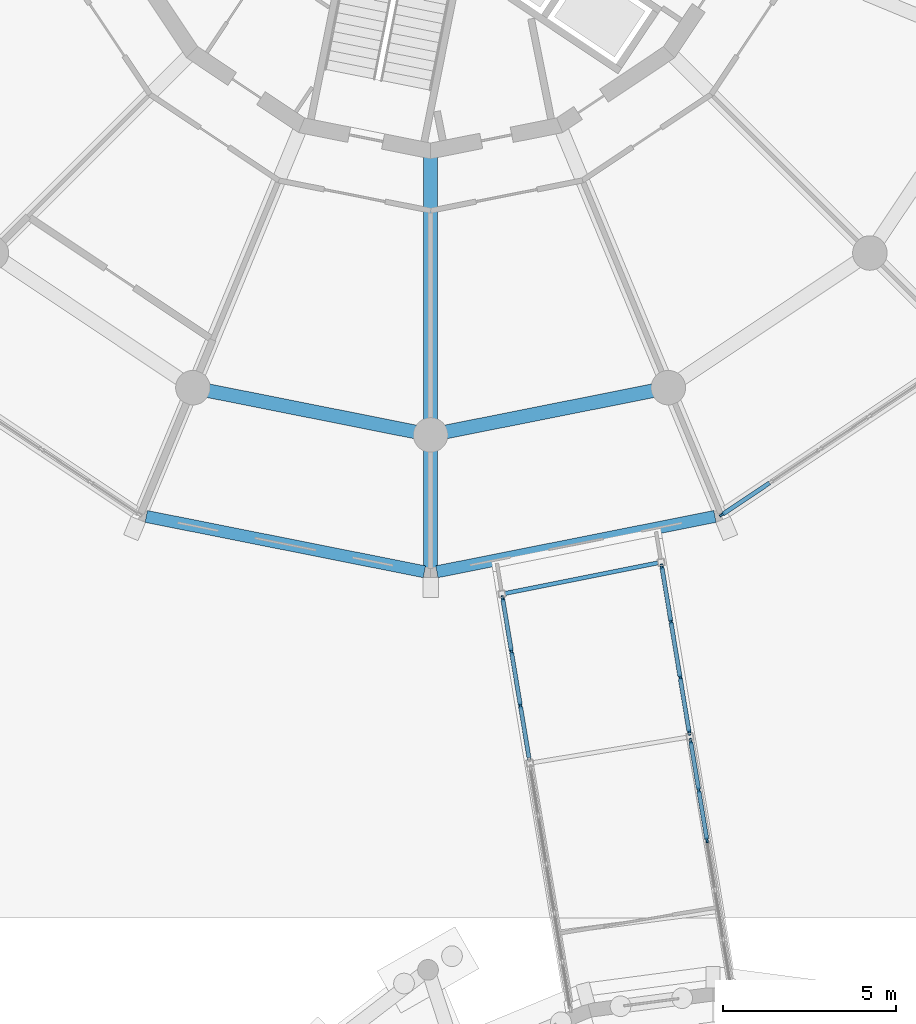
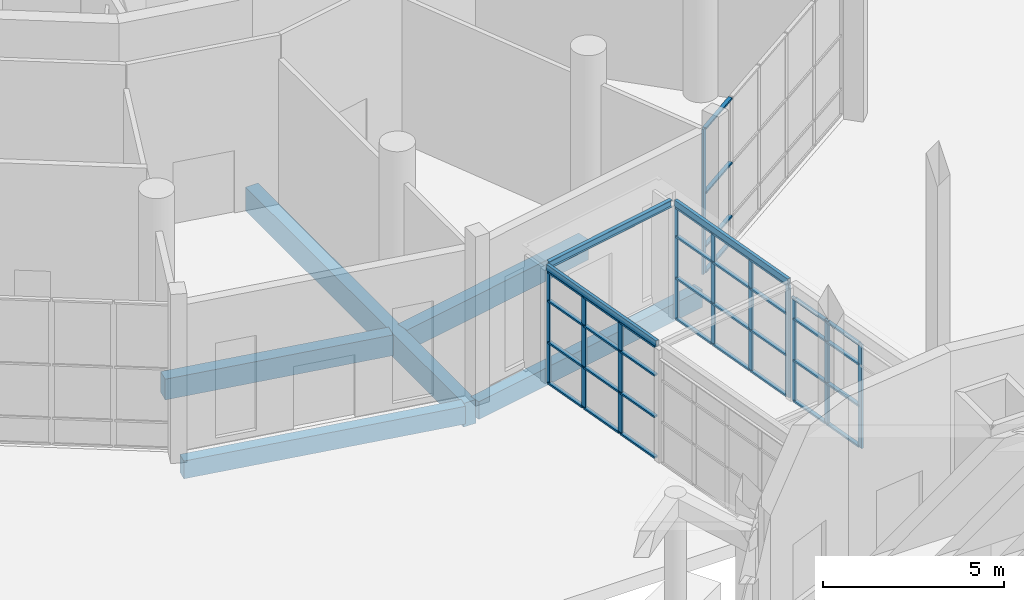
# One storey, part 62 of 226: 47 members, 8 beams, 4 elements without a shape of their own.
"""IFC4 building model written with IfcOpenShell, lengths in metres."""

from ifc_helpers import new_model, si_unit, direction, frame, origin, origin_2d, place, context, subcontext, project, spatial, rectangle, hollow_rectangle, i_section, extrude, material, material_profile, profile_set, type_object, element, aggregate, save


model = new_model("IFC4")

# Units and contexts
model_context = context("Model", 3, precision=1e-05, world=origin(), true_north=direction((0.0, 1.0)))
body_context = subcontext(model_context, "Body", "Model", "MODEL_VIEW")
ifc_project = project(units=[si_unit("LENGTHUNIT", "METRE"), si_unit("AREAUNIT", "SQUARE_METRE"), si_unit("VOLUMEUNIT", "CUBIC_METRE"), si_unit("PLANEANGLEUNIT", "RADIAN"), si_unit("MASSUNIT", "GRAM", prefix="KILO")], contexts=[model_context])

# Site, building, storey
site_placement = place(None, origin())
site = spatial("IfcSite", under=ifc_project, at=site_placement, CompositionType="ELEMENT")
building_placement = place(site_placement, origin())
building = spatial("IfcBuilding", under=site, at=building_placement, Name="Ceibo Conservatory and Research Tower", CompositionType="ELEMENT")
storey_placement = place(building_placement, origin())
storey = spatial("IfcBuildingStorey", under=building, at=storey_placement, Name="L00", CompositionType="ELEMENT", Elevation=0.0)

# Curtain wall, members
ifc_material_1 = material(Name="Aluminium and glass", Category="aluminium")
curtain_wall_type_1 = type_object("IfcCurtainWallType", Name="Curtain wall CW1", PredefinedType="NOTDEFINED", material=ifc_material_1)
curtain_wall_1_placement = place(storey_placement, origin())
curtain_wall_1 = element("IfcCurtainWall", 1, at=curtain_wall_1_placement, inside=storey, type_object=curtain_wall_type_1, Name="CW-00.14", PredefinedType="NOTDEFINED")
ifc_material_2 = material(Name="Aluminium", Category="aluminium")
ifc_material_profile_1 = material_profile(ifc_material_2, rectangle(XDim=0.06005859375, YDim=0.159912109375, at=origin_2d()), Name="Aluminium 60 x 160")
ifc_profile_set_1 = profile_set([ifc_material_profile_1], Name="Aluminium")
member_type_1 = type_object("IfcMemberType", Name="Aluminium mullion 60 x 160", PredefinedType="MULLION", material=ifc_profile_set_1)
member_1_placement = place(storey_placement, frame((56.444091796875, 99.69140625, 0.0), z_axis=(0.0, 0.0, 1.0), x_axis=(-0.555570307219, 0.831469562724, 0.0)))
member_1 = element("IfcMember", 2, at=member_1_placement, type_object=member_type_1, Name="CW-00.14 mullion 1", PredefinedType="MULLION", context=body_context, shape_type="SweptSolid", body=[
    extrude(rectangle(XDim=0.06005859375, YDim=0.159912109375, at=origin_2d()), origin(), (0.0, 0.0, 1.0), 4.89990234375),
])
ifc_material_profile_2 = material_profile(ifc_material_2, rectangle(XDim=0.1201171875, YDim=0.06005859375, at=origin_2d()), Name="Aluminium 60 x 120")
ifc_profile_set_2 = profile_set([ifc_material_profile_2], Name="Aluminium")
member_type_2 = type_object("IfcMemberType", Name="Aluminium transom 60 x 120", PredefinedType="USERDEFINED", material=ifc_profile_set_2)
member_2_placement = place(storey_placement, frame((56.468994140625, 99.7080078125, 0.030029296875), z_axis=(0.831449482525, 0.555600358179, 0.0), x_axis=(-0.555600358179, 0.831449482525, 0.0)))
member_2 = element("IfcMember", 3, at=member_2_placement, type_object=member_type_2, Name="CW-00.14 transom 1.1", ObjectType="TRANSOM", PredefinedType="USERDEFINED", context=body_context, shape_type="SweptSolid", body=[
    extrude(rectangle(XDim=0.1201171875, YDim=0.06005859375, at=origin_2d()), origin(), (0.0, 0.0, 1.0), 1.626708984375),
])
member_3_placement = place(storey_placement, frame((56.468994140625, 99.7080078125, 0.89990234375), z_axis=(0.831449482525, 0.555600358179, 0.0), x_axis=(-0.555600358179, 0.831449482525, 0.0)))
member_3 = element("IfcMember", 4, at=member_3_placement, type_object=member_type_2, Name="CW-00.14 transom 1.2", ObjectType="TRANSOM", PredefinedType="USERDEFINED", context=body_context, shape_type="SweptSolid", body=[
    extrude(rectangle(XDim=0.1201171875, YDim=0.06005859375, at=origin_2d()), origin(), (0.0, 0.0, 1.0), 1.626708984375),
])
member_4_placement = place(storey_placement, frame((56.468994140625, 99.7080078125, 2.699951171875), z_axis=(0.831449482525, 0.555600358179, 0.0), x_axis=(-0.555600358179, 0.831449482525, 0.0)))
member_4 = element("IfcMember", 5, at=member_4_placement, type_object=member_type_2, Name="CW-00.14 transom 1.3", ObjectType="TRANSOM", PredefinedType="USERDEFINED", context=body_context, shape_type="SweptSolid", body=[
    extrude(rectangle(XDim=0.1201171875, YDim=0.06005859375, at=origin_2d()), origin(), (0.0, 0.0, 1.0), 1.626708984375),
])
member_5_placement = place(storey_placement, frame((56.468994140625, 99.7080078125, 4.8701171875), z_axis=(0.831449482525, 0.555600358179, 0.0), x_axis=(-0.555600358179, 0.831449482525, 0.0)))
member_5 = element("IfcMember", 6, at=member_5_placement, type_object=member_type_2, Name="CW-00.14 transom 1.4", ObjectType="TRANSOM", PredefinedType="USERDEFINED", context=body_context, shape_type="SweptSolid", body=[
    extrude(rectangle(XDim=0.1201171875, YDim=0.06005859375, at=origin_2d()), origin(), (0.0, 0.0, 1.0), 1.626708984375),
])
aggregate(curtain_wall_1, [member_1, member_2, member_3, member_4, member_5])

curtain_wall_type_2 = type_object("IfcCurtainWallType", Name="Gallery curtain wall", PredefinedType="NOTDEFINED", material=ifc_material_1)
curtain_wall_2_placement = place(storey_placement, origin())
curtain_wall_2 = element("IfcCurtainWall", 7, at=curtain_wall_2_placement, inside=storey, type_object=curtain_wall_type_2, Name="Gallery curtain wall RT-AUD-CWN01", PredefinedType="NOTDEFINED")
ifc_material_profile_3 = material_profile(ifc_material_2, rectangle(XDim=0.06005859375, YDim=0.159912109375, at=origin_2d()), Name="AL 60x160")
ifc_profile_set_3 = profile_set([ifc_material_profile_3], Name="Aluminium")
member_type_3 = type_object("IfcMemberType", Name="Gallery mullion 60x160", PredefinedType="MULLION", material=ifc_profile_set_3)
member_6_placement = place(storey_placement, frame((54.69970703125, 98.18115234375, 0.0), z_axis=(0.0, 0.0, 1.0), x_axis=(0.986643339139, 0.162895430671, 0.0)))
member_6 = element("IfcMember", 8, at=member_6_placement, type_object=member_type_3, Name="RT-AUD-CWN01 mullion 1", PredefinedType="MULLION", context=body_context, shape_type="SweptSolid", body=[
    extrude(rectangle(XDim=0.06005859375, YDim=0.159912109375, at=origin_2d()), origin(), (0.0, 0.0, 1.0), 3.800048828125),
])
member_7_placement = place(storey_placement, frame((54.962158203125, 96.59130859375, 0.0), z_axis=(0.0, 0.0, 1.0), x_axis=(0.986643339139, 0.162895430671, 0.0)))
member_7 = element("IfcMember", 9, at=member_7_placement, type_object=member_type_3, Name="RT-AUD-CWN01 mullion 2", PredefinedType="MULLION", context=body_context, shape_type="SweptSolid", body=[
    extrude(rectangle(XDim=0.06005859375, YDim=0.159912109375, at=origin_2d()), origin(), (0.0, 0.0, 1.0), 3.800048828125),
])
member_8_placement = place(storey_placement, frame((55.2294921875, 94.9716796875, 0.0), z_axis=(0.0, 0.0, 1.0), x_axis=(0.986643339139, 0.162895430671, 0.0)))
member_8 = element("IfcMember", 10, at=member_8_placement, type_object=member_type_3, Name="RT-AUD-CWN01 mullion 3", PredefinedType="MULLION", context=body_context, shape_type="SweptSolid", body=[
    extrude(rectangle(XDim=0.06005859375, YDim=0.159912109375, at=origin_2d()), origin(), (0.0, 0.0, 1.0), 3.800048828125),
])
member_9_placement = place(storey_placement, frame((55.491943359375, 93.3818359375, 0.0), z_axis=(0.0, 0.0, 1.0), x_axis=(0.986643339139, 0.162895430671, 0.0)))
member_9 = element("IfcMember", 11, at=member_9_placement, type_object=member_type_3, Name="RT-AUD-CWN01 mullion 4", PredefinedType="MULLION", context=body_context, shape_type="SweptSolid", body=[
    extrude(rectangle(XDim=0.06005859375, YDim=0.159912109375, at=origin_2d()), origin(), (0.0, 0.0, 1.0), 3.800048828125),
])

curtain_wall_3_placement = place(storey_placement, origin())
curtain_wall_3 = element("IfcCurtainWall", 12, at=curtain_wall_3_placement, inside=storey, type_object=curtain_wall_type_2, Name="Gallery curtain wall RT-AUD-CWN02", PredefinedType="NOTDEFINED")
member_10_placement = place(storey_placement, frame((55.534423828125, 93.125244140625, 0.0), z_axis=(0.0, 0.0, 1.0), x_axis=(0.986643339139, 0.162895430671, 0.0)))
member_10 = element("IfcMember", 13, at=member_10_placement, type_object=member_type_3, Name="RT-AUD-CWN02 mullion 1", PredefinedType="MULLION", context=body_context, shape_type="SweptSolid", body=[
    extrude(rectangle(XDim=0.06005859375, YDim=0.159912109375, at=origin_2d()), origin(), (0.0, 0.0, 1.0), 3.5),
])
member_11_placement = place(storey_placement, frame((55.76806640625, 91.709716796875, 0.0), z_axis=(0.0, 0.0, 1.0), x_axis=(0.986643339139, 0.162895430671, 0.0)))
member_11 = element("IfcMember", 14, at=member_11_placement, type_object=member_type_3, Name="RT-AUD-CWN02 mullion 2", PredefinedType="MULLION", context=body_context, shape_type="SweptSolid", body=[
    extrude(rectangle(XDim=0.06005859375, YDim=0.159912109375, at=origin_2d()), origin(), (0.0, 0.0, 1.0), 3.5),
])
member_12_placement = place(storey_placement, frame((56.0068359375, 90.264404296875, 0.0), z_axis=(0.0, 0.0, 1.0), x_axis=(0.986643339139, 0.162895430671, 0.0)))
member_12 = element("IfcMember", 15, at=member_12_placement, type_object=member_type_3, Name="RT-AUD-CWN02 mullion 3", PredefinedType="MULLION", context=body_context, shape_type="SweptSolid", body=[
    extrude(rectangle(XDim=0.06005859375, YDim=0.159912109375, at=origin_2d()), origin(), (0.0, 0.0, 1.0), 3.5),
])

curtain_wall_4_placement = place(storey_placement, origin())
curtain_wall_4 = element("IfcCurtainWall", 16, at=curtain_wall_4_placement, inside=storey, type_object=curtain_wall_type_2, Name="Gallery curtain wall RT-AUD-CWS01", PredefinedType="NOTDEFINED")
member_13_placement = place(storey_placement, frame((50.08740234375, 97.263671875, 0.0), z_axis=(0.0, 0.0, 1.0), x_axis=(0.986643339139, 0.162895430671, 0.0)))
member_13 = element("IfcMember", 17, at=member_13_placement, type_object=member_type_3, Name="RT-AUD-CWS01 mullion 1", PredefinedType="MULLION", context=body_context, shape_type="SweptSolid", body=[
    extrude(rectangle(XDim=0.06005859375, YDim=0.159912109375, at=origin_2d()), origin(), (0.0, 0.0, 1.0), 3.800048828125),
])
member_14_placement = place(storey_placement, frame((50.341552734375, 95.724853515625, 0.0), z_axis=(0.0, 0.0, 1.0), x_axis=(0.986643339139, 0.162895430671, 0.0)))
member_14 = element("IfcMember", 18, at=member_14_placement, type_object=member_type_3, Name="RT-AUD-CWS01 mullion 2", PredefinedType="MULLION", context=body_context, shape_type="SweptSolid", body=[
    extrude(rectangle(XDim=0.06005859375, YDim=0.159912109375, at=origin_2d()), origin(), (0.0, 0.0, 1.0), 3.800048828125),
])
member_15_placement = place(storey_placement, frame((50.6005859375, 94.15625, 0.0), z_axis=(0.0, 0.0, 1.0), x_axis=(0.986643339139, 0.162895430671, 0.0)))
member_15 = element("IfcMember", 19, at=member_15_placement, type_object=member_type_3, Name="RT-AUD-CWS01 mullion 3", PredefinedType="MULLION", context=body_context, shape_type="SweptSolid", body=[
    extrude(rectangle(XDim=0.06005859375, YDim=0.159912109375, at=origin_2d()), origin(), (0.0, 0.0, 1.0), 3.800048828125),
])

# Member
ifc_material_profile_4 = material_profile(ifc_material_2, rectangle(XDim=0.1201171875, YDim=0.06005859375, at=origin_2d()), Name="AL 60x120")
ifc_profile_set_4 = profile_set([ifc_material_profile_4], Name="Aluminium")
member_type_4 = type_object("IfcMemberType", Name="Gallery transom 60x120", PredefinedType="USERDEFINED", material=ifc_profile_set_4)
member_16_placement = place(storey_placement, frame((54.70458984375, 98.151611328125, 0.030029296875), z_axis=(0.162867717884, -0.986647914137, 0.0), x_axis=(0.986647914137, 0.162867717884, 0.0)))
member_16 = element("IfcMember", 20, at=member_16_placement, type_object=member_type_4, Name="RT-AUD-CWN01 transom 1.1", ObjectType="TRANSOM", PredefinedType="USERDEFINED", context=body_context, shape_type="SweptSolid", body=[
    extrude(rectangle(XDim=0.1201171875, YDim=0.06005859375, at=origin_2d()), origin(), (0.0, 0.0, 1.0), 1.551513671875),
])

member_17_placement = place(storey_placement, frame((54.70458984375, 98.151611328125, 1.39990234375), z_axis=(0.162867717884, -0.986647914137, 0.0), x_axis=(0.986647914137, 0.162867717884, 0.0)))
member_17 = element("IfcMember", 21, at=member_17_placement, type_object=member_type_4, Name="RT-AUD-CWN01 transom 1.2", ObjectType="TRANSOM", PredefinedType="USERDEFINED", context=body_context, shape_type="SweptSolid", body=[
    extrude(rectangle(XDim=0.1201171875, YDim=0.06005859375, at=origin_2d()), origin(), (0.0, 0.0, 1.0), 1.551513671875),
])

member_18_placement = place(storey_placement, frame((54.70458984375, 98.151611328125, 2.800048828125), z_axis=(0.162867717884, -0.986647914137, 0.0), x_axis=(0.986647914137, 0.162867717884, 0.0)))
member_18 = element("IfcMember", 22, at=member_18_placement, type_object=member_type_4, Name="RT-AUD-CWN01 transom 1.3", ObjectType="TRANSOM", PredefinedType="USERDEFINED", context=body_context, shape_type="SweptSolid", body=[
    extrude(rectangle(XDim=0.1201171875, YDim=0.06005859375, at=origin_2d()), origin(), (0.0, 0.0, 1.0), 1.551513671875),
])

member_19_placement = place(storey_placement, frame((54.70458984375, 98.151611328125, 3.77001953125), z_axis=(0.162867717884, -0.986647914137, 0.0), x_axis=(0.986647914137, 0.162867717884, 0.0)))
member_19 = element("IfcMember", 23, at=member_19_placement, type_object=member_type_4, Name="RT-AUD-CWN01 transom 1.4", ObjectType="TRANSOM", PredefinedType="USERDEFINED", context=body_context, shape_type="SweptSolid", body=[
    extrude(rectangle(XDim=0.1201171875, YDim=0.06005859375, at=origin_2d()), origin(), (0.0, 0.0, 1.0), 1.551513671875),
])

member_20_placement = place(storey_placement, frame((54.967041015625, 96.561767578125, 0.030029296875), z_axis=(0.162871672768, -0.986647261289, 0.0), x_axis=(0.986647261289, 0.162871672768, 0.0)))
member_20 = element("IfcMember", 24, at=member_20_placement, type_object=member_type_4, Name="RT-AUD-CWN01 transom 2.1", ObjectType="TRANSOM", PredefinedType="USERDEFINED", context=body_context, shape_type="SweptSolid", body=[
    extrude(rectangle(XDim=0.1201171875, YDim=0.06005859375, at=origin_2d()), origin(), (0.0, 0.0, 1.0), 1.581298828125),
])

member_21_placement = place(storey_placement, frame((54.967041015625, 96.561767578125, 1.39990234375), z_axis=(0.162871672768, -0.986647261289, 0.0), x_axis=(0.986647261289, 0.162871672768, 0.0)))
member_21 = element("IfcMember", 25, at=member_21_placement, type_object=member_type_4, Name="RT-AUD-CWN01 transom 2.2", ObjectType="TRANSOM", PredefinedType="USERDEFINED", context=body_context, shape_type="SweptSolid", body=[
    extrude(rectangle(XDim=0.1201171875, YDim=0.06005859375, at=origin_2d()), origin(), (0.0, 0.0, 1.0), 1.581298828125),
])

member_22_placement = place(storey_placement, frame((54.967041015625, 96.561767578125, 2.800048828125), z_axis=(0.162871672768, -0.986647261289, 0.0), x_axis=(0.986647261289, 0.162871672768, 0.0)))
member_22 = element("IfcMember", 26, at=member_22_placement, type_object=member_type_4, Name="RT-AUD-CWN01 transom 2.3", ObjectType="TRANSOM", PredefinedType="USERDEFINED", context=body_context, shape_type="SweptSolid", body=[
    extrude(rectangle(XDim=0.1201171875, YDim=0.06005859375, at=origin_2d()), origin(), (0.0, 0.0, 1.0), 1.581298828125),
])

member_23_placement = place(storey_placement, frame((54.967041015625, 96.561767578125, 3.77001953125), z_axis=(0.162871672768, -0.986647261289, 0.0), x_axis=(0.986647261289, 0.162871672768, 0.0)))
member_23 = element("IfcMember", 27, at=member_23_placement, type_object=member_type_4, Name="RT-AUD-CWN01 transom 2.4", ObjectType="TRANSOM", PredefinedType="USERDEFINED", context=body_context, shape_type="SweptSolid", body=[
    extrude(rectangle(XDim=0.1201171875, YDim=0.06005859375, at=origin_2d()), origin(), (0.0, 0.0, 1.0), 1.581298828125),
])

member_24_placement = place(storey_placement, frame((55.234375, 94.942138671875, 0.030029296875), z_axis=(0.162867717884, -0.986647914137, 0.0), x_axis=(0.986647914137, 0.162867717884, 0.0)))
member_24 = element("IfcMember", 28, at=member_24_placement, type_object=member_type_4, Name="RT-AUD-CWN01 transom 3.1", ObjectType="TRANSOM", PredefinedType="USERDEFINED", context=body_context, shape_type="SweptSolid", body=[
    extrude(rectangle(XDim=0.1201171875, YDim=0.06005859375, at=origin_2d()), origin(), (0.0, 0.0, 1.0), 1.551513671875),
])

member_25_placement = place(storey_placement, frame((55.234375, 94.942138671875, 1.39990234375), z_axis=(0.162867717884, -0.986647914137, 0.0), x_axis=(0.986647914137, 0.162867717884, 0.0)))
member_25 = element("IfcMember", 29, at=member_25_placement, type_object=member_type_4, Name="RT-AUD-CWN01 transom 3.2", ObjectType="TRANSOM", PredefinedType="USERDEFINED", context=body_context, shape_type="SweptSolid", body=[
    extrude(rectangle(XDim=0.1201171875, YDim=0.06005859375, at=origin_2d()), origin(), (0.0, 0.0, 1.0), 1.551513671875),
])

member_26_placement = place(storey_placement, frame((55.234375, 94.942138671875, 2.800048828125), z_axis=(0.162867717884, -0.986647914137, 0.0), x_axis=(0.986647914137, 0.162867717884, 0.0)))
member_26 = element("IfcMember", 30, at=member_26_placement, type_object=member_type_4, Name="RT-AUD-CWN01 transom 3.3", ObjectType="TRANSOM", PredefinedType="USERDEFINED", context=body_context, shape_type="SweptSolid", body=[
    extrude(rectangle(XDim=0.1201171875, YDim=0.06005859375, at=origin_2d()), origin(), (0.0, 0.0, 1.0), 1.551513671875),
])

member_27_placement = place(storey_placement, frame((55.234375, 94.942138671875, 3.77001953125), z_axis=(0.162867717884, -0.986647914137, 0.0), x_axis=(0.986647914137, 0.162867717884, 0.0)))
member_27 = element("IfcMember", 31, at=member_27_placement, type_object=member_type_4, Name="RT-AUD-CWN01 transom 3.4", ObjectType="TRANSOM", PredefinedType="USERDEFINED", context=body_context, shape_type="SweptSolid", body=[
    extrude(rectangle(XDim=0.1201171875, YDim=0.06005859375, at=origin_2d()), origin(), (0.0, 0.0, 1.0), 1.551513671875),
])

aggregate(curtain_wall_2, [member_6, member_7, member_8, member_9, member_16, member_17, member_18, member_19, member_20, member_21, member_22, member_23, member_24, member_25, member_26, member_27])

member_28_placement = place(storey_placement, frame((55.539306640625, 93.095703125, 0.030029296875), z_axis=(0.162843730731, -0.986651873439, 0.0), x_axis=(0.986651873439, 0.162843730731, 0.0)))
member_28 = element("IfcMember", 32, at=member_28_placement, type_object=member_type_4, Name="RT-AUD-CWN02 transom 1.1", ObjectType="TRANSOM", PredefinedType="USERDEFINED", context=body_context, shape_type="SweptSolid", body=[
    extrude(rectangle(XDim=0.1201171875, YDim=0.06005859375, at=origin_2d()), origin(), (0.0, 0.0, 1.0), 1.374755859375),
])

member_29_placement = place(storey_placement, frame((55.539306640625, 93.095703125, 1.39990234375), z_axis=(0.162843730731, -0.986651873439, 0.0), x_axis=(0.986651873439, 0.162843730731, 0.0)))
member_29 = element("IfcMember", 33, at=member_29_placement, type_object=member_type_4, Name="RT-AUD-CWN02 transom 1.2", ObjectType="TRANSOM", PredefinedType="USERDEFINED", context=body_context, shape_type="SweptSolid", body=[
    extrude(rectangle(XDim=0.1201171875, YDim=0.06005859375, at=origin_2d()), origin(), (0.0, 0.0, 1.0), 1.374755859375),
])

member_30_placement = place(storey_placement, frame((55.539306640625, 93.095703125, 2.800048828125), z_axis=(0.162843730731, -0.986651873439, 0.0), x_axis=(0.986651873439, 0.162843730731, 0.0)))
member_30 = element("IfcMember", 34, at=member_30_placement, type_object=member_type_4, Name="RT-AUD-CWN02 transom 1.3", ObjectType="TRANSOM", PredefinedType="USERDEFINED", context=body_context, shape_type="SweptSolid", body=[
    extrude(rectangle(XDim=0.1201171875, YDim=0.06005859375, at=origin_2d()), origin(), (0.0, 0.0, 1.0), 1.374755859375),
])

member_31_placement = place(storey_placement, frame((55.539306640625, 93.095703125, 3.469970703125), z_axis=(0.162843730731, -0.986651873439, 0.0), x_axis=(0.986651873439, 0.162843730731, 0.0)))
member_31 = element("IfcMember", 35, at=member_31_placement, type_object=member_type_4, Name="RT-AUD-CWN02 transom 1.4", ObjectType="TRANSOM", PredefinedType="USERDEFINED", context=body_context, shape_type="SweptSolid", body=[
    extrude(rectangle(XDim=0.1201171875, YDim=0.06005859375, at=origin_2d()), origin(), (0.0, 0.0, 1.0), 1.374755859375),
])

member_32_placement = place(storey_placement, frame((55.77294921875, 91.68017578125, 0.030029296875), z_axis=(0.162989928394, -0.986627732857, 0.0), x_axis=(0.986627732857, 0.162989928394, 0.0)))
member_32 = element("IfcMember", 36, at=member_32_placement, type_object=member_type_4, Name="RT-AUD-CWN02 transom 2.1", ObjectType="TRANSOM", PredefinedType="USERDEFINED", context=body_context, shape_type="SweptSolid", body=[
    extrude(rectangle(XDim=0.1201171875, YDim=0.06005859375, at=origin_2d()), origin(), (0.0, 0.0, 1.0), 1.405029296875),
])

member_33_placement = place(storey_placement, frame((55.77294921875, 91.68017578125, 1.39990234375), z_axis=(0.162989928394, -0.986627732857, 0.0), x_axis=(0.986627732857, 0.162989928394, 0.0)))
member_33 = element("IfcMember", 37, at=member_33_placement, type_object=member_type_4, Name="RT-AUD-CWN02 transom 2.2", ObjectType="TRANSOM", PredefinedType="USERDEFINED", context=body_context, shape_type="SweptSolid", body=[
    extrude(rectangle(XDim=0.1201171875, YDim=0.06005859375, at=origin_2d()), origin(), (0.0, 0.0, 1.0), 1.405029296875),
])

member_34_placement = place(storey_placement, frame((55.77294921875, 91.68017578125, 2.800048828125), z_axis=(0.162989928394, -0.986627732857, 0.0), x_axis=(0.986627732857, 0.162989928394, 0.0)))
member_34 = element("IfcMember", 38, at=member_34_placement, type_object=member_type_4, Name="RT-AUD-CWN02 transom 2.3", ObjectType="TRANSOM", PredefinedType="USERDEFINED", context=body_context, shape_type="SweptSolid", body=[
    extrude(rectangle(XDim=0.1201171875, YDim=0.06005859375, at=origin_2d()), origin(), (0.0, 0.0, 1.0), 1.405029296875),
])

member_35_placement = place(storey_placement, frame((55.77294921875, 91.68017578125, 3.469970703125), z_axis=(0.162989928394, -0.986627732857, 0.0), x_axis=(0.986627732857, 0.162989928394, 0.0)))
member_35 = element("IfcMember", 39, at=member_35_placement, type_object=member_type_4, Name="RT-AUD-CWN02 transom 2.4", ObjectType="TRANSOM", PredefinedType="USERDEFINED", context=body_context, shape_type="SweptSolid", body=[
    extrude(rectangle(XDim=0.1201171875, YDim=0.06005859375, at=origin_2d()), origin(), (0.0, 0.0, 1.0), 1.405029296875),
])

aggregate(curtain_wall_3, [member_10, member_11, member_12, member_28, member_29, member_30, member_31, member_32, member_33, member_34, member_35])

member_36_placement = place(storey_placement, frame((50.09228515625, 97.234130859375, 0.030029296875), z_axis=(0.162946950444, -0.98663483181, 0.0), x_axis=(0.98663483181, 0.162946950444, 0.0)))
member_36 = element("IfcMember", 40, at=member_36_placement, type_object=member_type_4, Name="RT-AUD-CWS01 transom 1.1", ObjectType="TRANSOM", PredefinedType="USERDEFINED", context=body_context, shape_type="SweptSolid", body=[
    extrude(rectangle(XDim=0.1201171875, YDim=0.06005859375, at=origin_2d()), origin(), (0.0, 0.0, 1.0), 1.499755859375),
])

member_37_placement = place(storey_placement, frame((50.09228515625, 97.234130859375, 1.39990234375), z_axis=(0.162946950444, -0.98663483181, 0.0), x_axis=(0.98663483181, 0.162946950444, 0.0)))
member_37 = element("IfcMember", 41, at=member_37_placement, type_object=member_type_4, Name="RT-AUD-CWS01 transom 1.2", ObjectType="TRANSOM", PredefinedType="USERDEFINED", context=body_context, shape_type="SweptSolid", body=[
    extrude(rectangle(XDim=0.1201171875, YDim=0.06005859375, at=origin_2d()), origin(), (0.0, 0.0, 1.0), 1.499755859375),
])

member_38_placement = place(storey_placement, frame((50.09228515625, 97.234130859375, 2.800048828125), z_axis=(0.162946950444, -0.98663483181, 0.0), x_axis=(0.98663483181, 0.162946950444, 0.0)))
member_38 = element("IfcMember", 42, at=member_38_placement, type_object=member_type_4, Name="RT-AUD-CWS01 transom 1.3", ObjectType="TRANSOM", PredefinedType="USERDEFINED", context=body_context, shape_type="SweptSolid", body=[
    extrude(rectangle(XDim=0.1201171875, YDim=0.06005859375, at=origin_2d()), origin(), (0.0, 0.0, 1.0), 1.499755859375),
])

member_39_placement = place(storey_placement, frame((50.09228515625, 97.234130859375, 3.77001953125), z_axis=(0.162946950444, -0.98663483181, 0.0), x_axis=(0.98663483181, 0.162946950444, 0.0)))
member_39 = element("IfcMember", 43, at=member_39_placement, type_object=member_type_4, Name="RT-AUD-CWS01 transom 1.4", ObjectType="TRANSOM", PredefinedType="USERDEFINED", context=body_context, shape_type="SweptSolid", body=[
    extrude(rectangle(XDim=0.1201171875, YDim=0.06005859375, at=origin_2d()), origin(), (0.0, 0.0, 1.0), 1.499755859375),
])

member_40_placement = place(storey_placement, frame((50.346435546875, 95.6953125, 0.030029296875), z_axis=(0.16294948809, -0.986634412704, 0.0), x_axis=(0.986634412704, 0.16294948809, 0.0)))
member_40 = element("IfcMember", 44, at=member_40_placement, type_object=member_type_4, Name="RT-AUD-CWS01 transom 2.1", ObjectType="TRANSOM", PredefinedType="USERDEFINED", context=body_context, shape_type="SweptSolid", body=[
    extrude(rectangle(XDim=0.1201171875, YDim=0.06005859375, at=origin_2d()), origin(), (0.0, 0.0, 1.0), 1.52978515625),
])

member_41_placement = place(storey_placement, frame((50.346435546875, 95.6953125, 1.39990234375), z_axis=(0.16294948809, -0.986634412704, 0.0), x_axis=(0.986634412704, 0.16294948809, 0.0)))
member_41 = element("IfcMember", 45, at=member_41_placement, type_object=member_type_4, Name="RT-AUD-CWS01 transom 2.2", ObjectType="TRANSOM", PredefinedType="USERDEFINED", context=body_context, shape_type="SweptSolid", body=[
    extrude(rectangle(XDim=0.1201171875, YDim=0.06005859375, at=origin_2d()), origin(), (0.0, 0.0, 1.0), 1.52978515625),
])

member_42_placement = place(storey_placement, frame((50.346435546875, 95.6953125, 2.800048828125), z_axis=(0.16294948809, -0.986634412704, 0.0), x_axis=(0.986634412704, 0.16294948809, 0.0)))
member_42 = element("IfcMember", 46, at=member_42_placement, type_object=member_type_4, Name="RT-AUD-CWS01 transom 2.3", ObjectType="TRANSOM", PredefinedType="USERDEFINED", context=body_context, shape_type="SweptSolid", body=[
    extrude(rectangle(XDim=0.1201171875, YDim=0.06005859375, at=origin_2d()), origin(), (0.0, 0.0, 1.0), 1.52978515625),
])

member_43_placement = place(storey_placement, frame((50.346435546875, 95.6953125, 3.77001953125), z_axis=(0.16294948809, -0.986634412704, 0.0), x_axis=(0.986634412704, 0.16294948809, 0.0)))
member_43 = element("IfcMember", 47, at=member_43_placement, type_object=member_type_4, Name="RT-AUD-CWS01 transom 2.4", ObjectType="TRANSOM", PredefinedType="USERDEFINED", context=body_context, shape_type="SweptSolid", body=[
    extrude(rectangle(XDim=0.1201171875, YDim=0.06005859375, at=origin_2d()), origin(), (0.0, 0.0, 1.0), 1.52978515625),
])

member_44_placement = place(storey_placement, frame((50.60546875, 94.126708984375, 0.030029296875), z_axis=(0.162788482173, -0.986660990448, 0.0), x_axis=(0.986660990448, 0.162788482173, 0.0)))
member_44 = element("IfcMember", 48, at=member_44_placement, type_object=member_type_4, Name="RT-AUD-CWS01 transom 3.1", ObjectType="TRANSOM", PredefinedType="USERDEFINED", context=body_context, shape_type="SweptSolid", body=[
    extrude(rectangle(XDim=0.1201171875, YDim=0.06005859375, at=origin_2d()), origin(), (0.0, 0.0, 1.0), 1.499755859375),
])

member_45_placement = place(storey_placement, frame((50.60546875, 94.126708984375, 1.39990234375), z_axis=(0.162788482173, -0.986660990448, 0.0), x_axis=(0.986660990448, 0.162788482173, 0.0)))
member_45 = element("IfcMember", 49, at=member_45_placement, type_object=member_type_4, Name="RT-AUD-CWS01 transom 3.2", ObjectType="TRANSOM", PredefinedType="USERDEFINED", context=body_context, shape_type="SweptSolid", body=[
    extrude(rectangle(XDim=0.1201171875, YDim=0.06005859375, at=origin_2d()), origin(), (0.0, 0.0, 1.0), 1.499755859375),
])

member_46_placement = place(storey_placement, frame((50.60546875, 94.126708984375, 2.800048828125), z_axis=(0.162788482173, -0.986660990448, 0.0), x_axis=(0.986660990448, 0.162788482173, 0.0)))
member_46 = element("IfcMember", 50, at=member_46_placement, type_object=member_type_4, Name="RT-AUD-CWS01 transom 3.3", ObjectType="TRANSOM", PredefinedType="USERDEFINED", context=body_context, shape_type="SweptSolid", body=[
    extrude(rectangle(XDim=0.1201171875, YDim=0.06005859375, at=origin_2d()), origin(), (0.0, 0.0, 1.0), 1.499755859375),
])

member_47_placement = place(storey_placement, frame((50.60546875, 94.126708984375, 3.77001953125), z_axis=(0.162788482173, -0.986660990448, 0.0), x_axis=(0.986660990448, 0.162788482173, 0.0)))
member_47 = element("IfcMember", 51, at=member_47_placement, type_object=member_type_4, Name="RT-AUD-CWS01 transom 3.4", ObjectType="TRANSOM", PredefinedType="USERDEFINED", context=body_context, shape_type="SweptSolid", body=[
    extrude(rectangle(XDim=0.1201171875, YDim=0.06005859375, at=origin_2d()), origin(), (0.0, 0.0, 1.0), 1.499755859375),
])

aggregate(curtain_wall_4, [member_13, member_14, member_15, member_36, member_37, member_38, member_39, member_40, member_41, member_42, member_43, member_44, member_45, member_46, member_47])

# Beams
ifc_material_3 = material(Name="Steel S355J2", Category="steel")
ifc_material_profile_5 = material_profile(ifc_material_3, i_section(OverallWidth=0.1201171875, OverallDepth=0.239990234375, WebThickness=0.006103515625, FlangeThickness=0.009765625, at=origin_2d()), Name="IPE 240")
ifc_profile_set_5 = profile_set([ifc_material_profile_5], Name="Steel S355J2")
beam_type_1 = type_object("IfcBeamType", Name="IPE 240 roof beam", PredefinedType="BEAM", material=ifc_profile_set_5)
beam_1_placement = place(storey_placement, frame((54.584716796875, 98.2939453125, 3.8798828125), z_axis=(-0.980514030496, -0.196449067193, 0.0), x_axis=(0.196449067193, -0.980514030496, 0.0)))
element("IfcBeam", 52, at=beam_1_placement, inside=storey, type_object=beam_type_1, Name="Gallery roof beam RT-AUD-RB01", PredefinedType="BEAM", context=body_context, shape_type="SweptSolid", body=[
    extrude(i_section(OverallWidth=0.1201171875, OverallDepth=0.239990234375, WebThickness=0.006103515625, FlangeThickness=0.009765625, at=origin_2d()), origin(), (0.0, 0.0, 1.0), 4.512451171875),
])
ifc_material_4 = material(Name="Concrete C35/45", Category="concrete")
ifc_material_profile_6 = material_profile(ifc_material_4, rectangle(XDim=0.35009765625, YDim=0.60009765625, at=origin_2d()), Name="RC 350x600")
ifc_profile_set_6 = profile_set([ifc_material_profile_6], Name="Concrete C35/45")
beam_type_2 = type_object("IfcBeamType", Name="RC beam 350x600 C35", PredefinedType="BEAM", material=ifc_profile_set_6)
for number, where, z_axis, x_axis, name in (
    (53, (39.76123046875, 99.638671875, -0.64990234375), (0.980788126016, -0.195076015612, 0.0), (0.195076015612, 0.980788126016, 0.0), "Edge beam 12 L00"),
    (54, (48.180419921875, 98.035888671875, -0.64990234375), (0.980788126016, 0.195076015612, 0.0), (-0.195076015612, 0.980788126016, 0.0), "Edge beam 13 L00"),
):
    element("IfcBeam", number, at=place(storey_placement, frame(where, z_axis=z_axis, x_axis=x_axis)), inside=storey, type_object=beam_type_2, Name=name, PredefinedType="BEAM", context=body_context, shape_type="SweptSolid", body=[
        extrude(rectangle(XDim=0.35009765625, YDim=0.60009765625, at=origin_2d()), origin(), (0.0, 0.0, 1.0), 8.21630859375),
    ])
ifc_material_profile_7 = material_profile(ifc_material_4, rectangle(XDim=0.39990234375, YDim=0.699951171875, at=origin_2d()), Name="RC 400x700")
ifc_profile_set_7 = profile_set([ifc_material_profile_7], Name="Concrete C35/45")
beam_type_3 = type_object("IfcBeamType", Name="RC beam 400x700 C35", PredefinedType="BEAM", material=ifc_profile_set_7)
for number, where, z_axis, x_axis, name in (
    (55, (41.2919921875, 103.334228515625, -0.699951171875), (0.980787526167, -0.19507903146, 0.0), (0.19507903146, 0.980787526167, 0.0), "Ring beam 12 L00"),
    (56, (48.180419921875, 102.035888671875, -0.699951171875), (0.980787526167, 0.19507903146, 0.0), (-0.19507903146, 0.980787526167, 0.0), "Ring beam 13 L00"),
):
    element("IfcBeam", number, at=place(storey_placement, frame(where, z_axis=z_axis, x_axis=x_axis)), inside=storey, type_object=beam_type_3, Name=name, PredefinedType="BEAM", context=body_context, shape_type="SweptSolid", body=[
        extrude(rectangle(XDim=0.39990234375, YDim=0.699951171875, at=origin_2d()), origin(), (0.0, 0.0, 1.0), 6.655517578125),
    ])
ifc_material_profile_8 = material_profile(ifc_material_4, rectangle(XDim=0.39990234375, YDim=0.800048828125, at=origin_2d()), Name="RC 400x800")
ifc_profile_set_8 = profile_set([ifc_material_profile_8], Name="Concrete C35/45")
beam_type_4 = type_object("IfcBeamType", Name="RC beam 400x800 C35", PredefinedType="BEAM", material=ifc_profile_set_8)
beam_2_placement = place(storey_placement, frame((48.0, 110.050048828125, -0.75), z_axis=(0.0, -1.0, 0.0), x_axis=(1.0, 0.0, 0.0)))
element("IfcBeam", 57, at=beam_2_placement, inside=storey, type_object=beam_type_4, Name="Radial beam R13 L00", PredefinedType="BEAM", context=body_context, shape_type="SweptSolid", body=[
    extrude(rectangle(XDim=0.39990234375, YDim=0.800048828125, at=origin_2d()), origin(), (0.0, 0.0, 1.0), 12.045166015625),
])
ifc_material_5 = material(Name="Steel S355J2H", Category="steel")
ifc_material_profile_9 = material_profile(ifc_material_5, hollow_rectangle(XDim=0.10009765625, YDim=0.199951171875, WallThickness=0.008056640625, at=origin_2d()), Name="RHS 200x100x8 edge beam")
ifc_profile_set_9 = profile_set([ifc_material_profile_9], Name="Steel S355J2H")
beam_type_5 = type_object("IfcBeamType", Name="RHS 200x100x8 edge beam", PredefinedType="BEAM", material=ifc_profile_set_9)
beam_3_placement = place(storey_placement, frame((54.69384765625, 98.215576171875, 3.89990234375), z_axis=(0.162938471042, -0.986636232182, 0.0), x_axis=(0.986636232182, 0.162938471042, 0.0)))
element("IfcBeam", 58, at=beam_3_placement, inside=storey, type_object=beam_type_5, Name="Gallery edge beam RT-AUD-EBN01", PredefinedType="BEAM", context=body_context, shape_type="SweptSolid", body=[
    extrude(hollow_rectangle(XDim=0.10009765625, YDim=0.199951171875, WallThickness=0.008056640625, at=origin_2d()), origin(), (0.0, 0.0, 1.0), 4.93408203125),
])
beam_4_placement = place(storey_placement, frame((50.081787109375, 97.29833984375, 3.89990234375), z_axis=(0.162907691461, -0.986641314796, 0.0), x_axis=(0.986641314796, 0.162907691461, 0.0)))
element("IfcBeam", 59, at=beam_4_placement, inside=storey, type_object=beam_type_5, Name="Gallery edge beam RT-AUD-EBS01", PredefinedType="BEAM", context=body_context, shape_type="SweptSolid", body=[
    extrude(hollow_rectangle(XDim=0.10009765625, YDim=0.199951171875, WallThickness=0.008056640625, at=origin_2d()), origin(), (0.0, 0.0, 1.0), 4.779296875),
])

save(model, "model.ifc")
